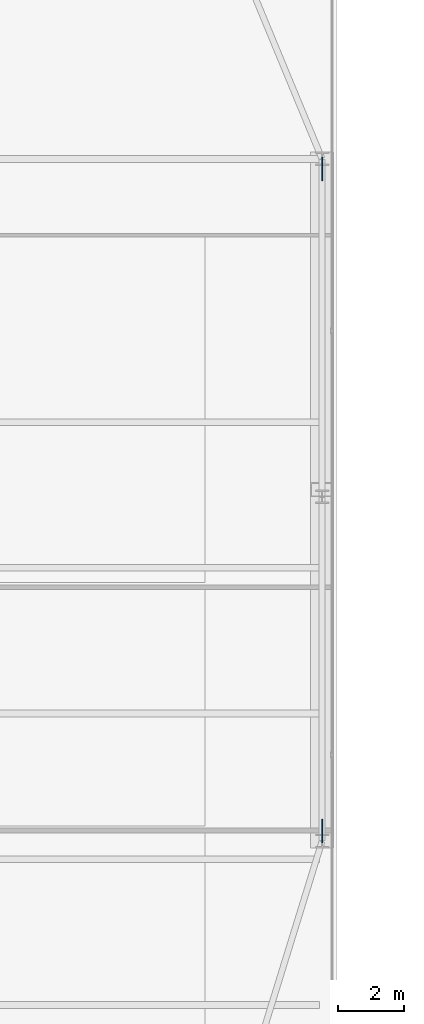
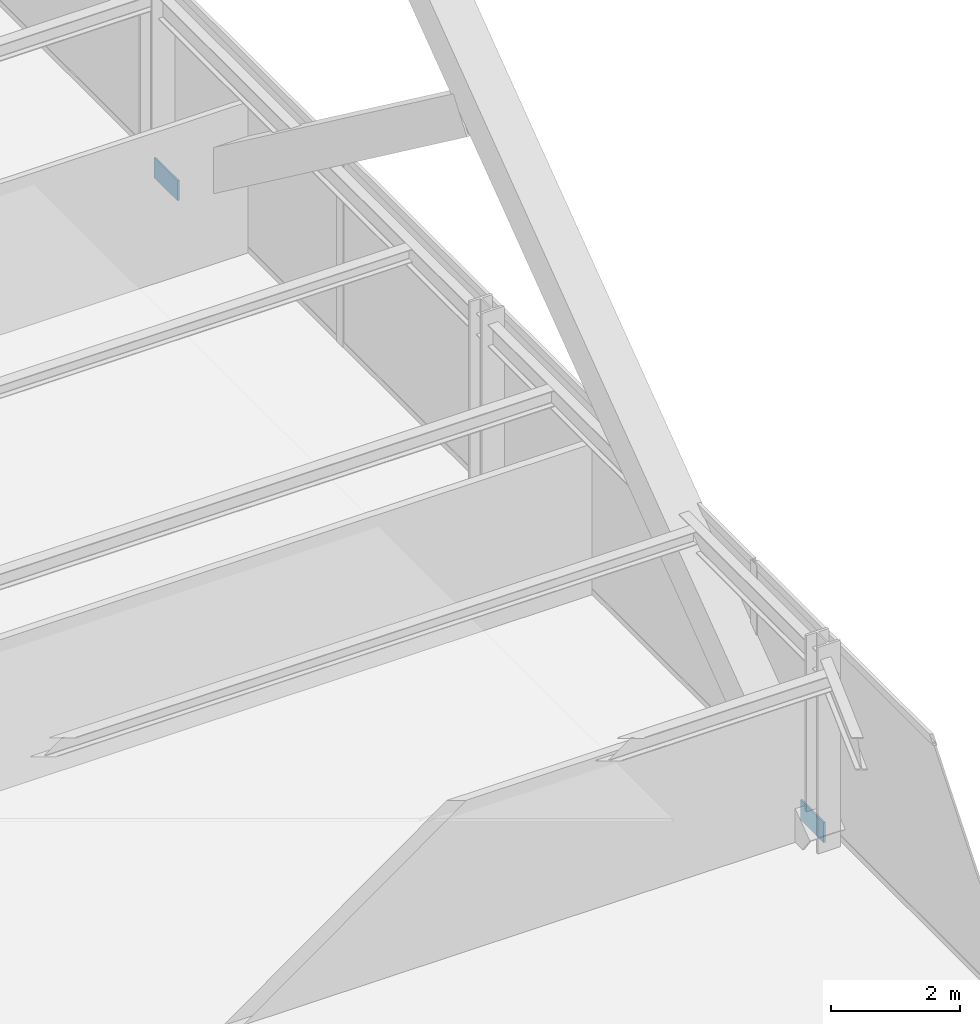
# One storey, part 28 of 34: 2 plates.
"""IFC4 building model written with IfcOpenShell, lengths in metres."""

from ifc_helpers import new_model, si_unit, direction, frame, origin, origin_2d, place, context, subcontext, project, spatial, rectangle, extrude, source, transform, mapped, material, layer, layer_set, type_object, type_shapes, element, save


model = new_model("IFC4")

# Units and contexts
model_context = context("Model", 3, precision=1e-05, world=origin(), true_north=direction((0.0, 1.0)))
body_context = subcontext(model_context, "Body", "Model", "MODEL_VIEW")
ifc_project = project(units=[si_unit("LENGTHUNIT", "METRE"), si_unit("AREAUNIT", "SQUARE_METRE"), si_unit("VOLUMEUNIT", "CUBIC_METRE"), si_unit("PLANEANGLEUNIT", "RADIAN"), si_unit("MASSUNIT", "GRAM", prefix="KILO")], contexts=[model_context])

# Site, building, storey
site_placement = place(None, origin())
site = spatial("IfcSite", under=ifc_project, at=site_placement, CompositionType="ELEMENT")
building_placement = place(site_placement, origin())
building = spatial("IfcBuilding", under=site, at=building_placement, Name="Varnel Quay Broadcast Tower", CompositionType="ELEMENT")
storey_placement = place(building_placement, frame((0.0, 0.0, 27.60009765625)))
storey = spatial("IfcBuildingStorey", under=building, at=storey_placement, Name="L05", CompositionType="ELEMENT", Elevation=27.60009765625)

# Plates
ifc_material = material(Name="Structural Steel CSA G40.21 350WT", Category="steel")
ifc_layer = layer(ifc_material, 0.031982421875, Name="Structural Steel CSA G40.21 350WT")
ifc_layer_set = layer_set([ifc_layer], Name="Structural Steel CSA G40.21 350WT")
plate_type = type_object("IfcPlateType", Name="Plate_EndCap", PredefinedType="USERDEFINED", material=ifc_layer_set)
shared_shape = source(origin(), body_context, "Body", "SweptSolid", [
    extrude(rectangle(XDim=0.719970703125, YDim=0.031982421875, at=origin_2d()), origin(), (0.0, 0.0, 1.0), 0.3798828125),
])
type_shapes(plate_type, [shared_shape])
for number, where, z_axis, x_axis, name in (
    (1, (65.550048828125, 15.304931640625, 0.056640625), (0.0, 0.0, 1.0), (0.0, 1.0, 0.0), "Zone 1 Mega-Brace E-FT1 Diag A End Connection Plate P0"),
    (2, (65.550048828125, 35.294921875, 0.056640625), (0.0, 0.0, 1.0), (0.0, 1.0, 0.0), "Zone 1 Mega-Brace E-FT1 Diag B1 End Connection Plate P0"),
):
    element("IfcPlate", number, at=place(storey_placement, frame(where, z_axis=z_axis, x_axis=x_axis)), inside=storey, type_object=plate_type, Name=name, ObjectType="CAP_PLATE", PredefinedType="USERDEFINED", context=body_context, shape_type="MappedRepresentation", body=[
        mapped(shared_shape, transform((0.0, 0.0, 0.0), x_axis=(1.0, 0.0, 0.0), y_axis=(0.0, 1.0, 0.0), z_axis=(0.0, 0.0, 1.0), scale=1.0)),
    ])

save(model, "model.ifc")
